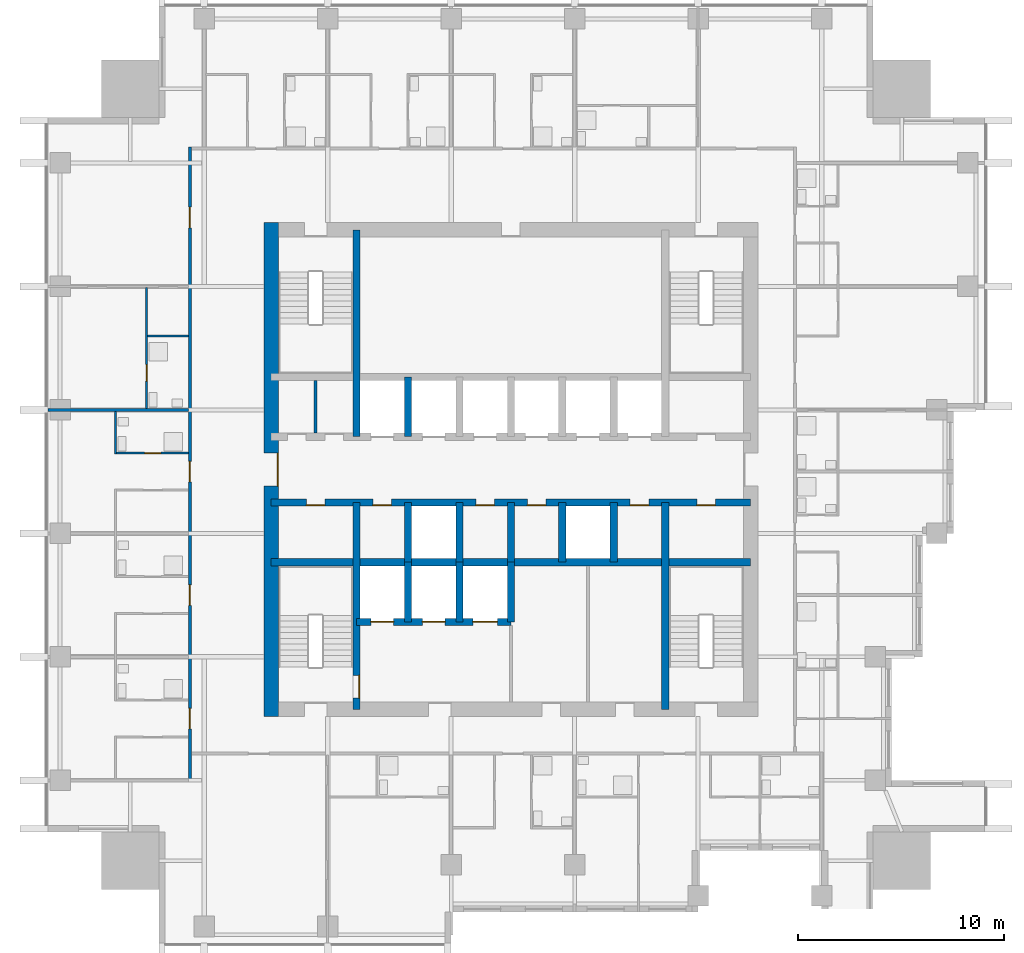
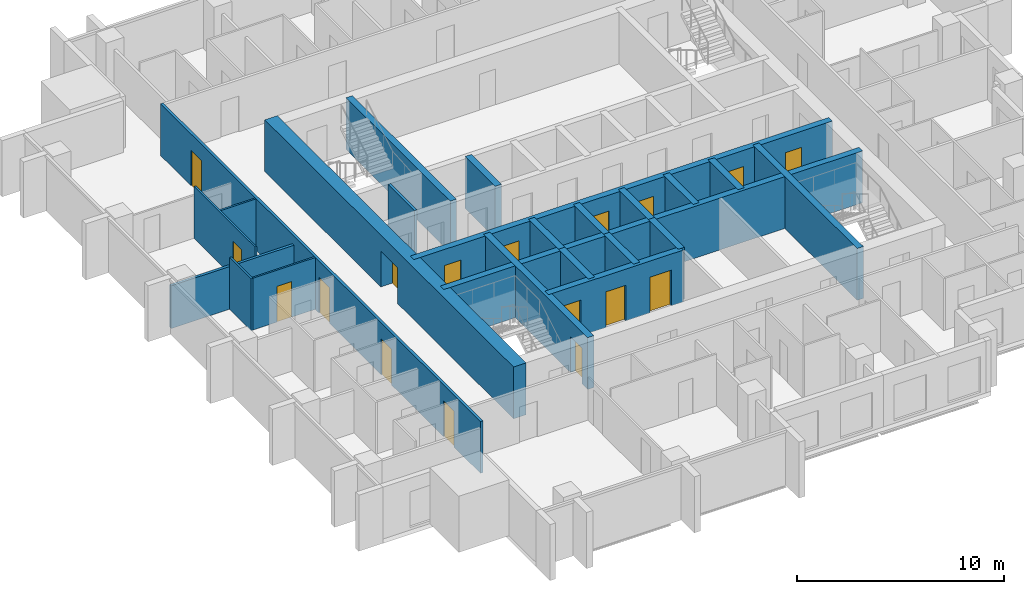
# One storey, part 5 of 11: 23 walls, 17 doors, 17 openings.
"""IFC4 building model written with IfcOpenShell, lengths in metres."""

from ifc_helpers import new_model, si_unit, direction, frame, frame_2d, origin, place, context, subcontext, project, spatial, rectangle, extrude, material, layer, layer_set, type_object, element, fill, save


model = new_model("IFC4")

# Units and contexts
model_context = context("Model", 3, precision=1e-05, world=origin(), true_north=direction((0.0, 1.0)))
body_context = subcontext(model_context, "Body", "Model", "MODEL_VIEW")
ifc_project = project(units=[si_unit("LENGTHUNIT", "METRE"), si_unit("AREAUNIT", "SQUARE_METRE"), si_unit("VOLUMEUNIT", "CUBIC_METRE"), si_unit("PLANEANGLEUNIT", "RADIAN"), si_unit("MASSUNIT", "GRAM", prefix="KILO")], contexts=[model_context])

# Site, building, storey
site_placement = place(None, origin())
site = spatial("IfcSite", under=ifc_project, at=site_placement, CompositionType="ELEMENT")
building_placement = place(site_placement, origin())
building = spatial("IfcBuilding", under=site, at=building_placement, Name="Amberfall Residences", CompositionType="ELEMENT")
storey_placement = place(building_placement, frame((0.0, 0.0, 161.5)))
storey = spatial("IfcBuildingStorey", under=building, at=storey_placement, Name="L43", CompositionType="ELEMENT", Elevation=161.5)

# Wall
ifc_material_1 = material(Name="Concrete C60", Category="concrete")
ifc_layer_1 = layer(ifc_material_1, 0.35009765625)
ifc_layer_set_1 = layer_set([ifc_layer_1], Name="Core wall 350 C60")
wall_type_1 = type_object("IfcWallType", Name="Core wall 350 C60", PredefinedType="SHEAR", material=ifc_layer_set_1)
wall_1_placement = place(storey_placement, frame((62.85009765625, 41.0, 0.0), z_axis=(0.0, 0.0, 1.0), x_axis=(1.0, 0.0, 0.0)))
element("IfcWall", 1, at=wall_1_placement, inside=storey, type_object=wall_type_1, Name="Core wall RW6 L43 H75", PredefinedType="SHEAR", context=body_context, shape_type="SweptSolid", body=[
    extrude(rectangle(XDim=23.2998046875, YDim=0.35009765625, at=frame_2d((11.64990234375, 0.0))), origin(), (0.0, 0.0, 1.0), 3.050048828125),
])

# Wall, openings, doors
wall_2_placement = place(storey_placement, frame((62.85009765625, 43.89990234375, 0.0), z_axis=(0.0, 0.0, 1.0), x_axis=(1.0, 0.0, 0.0)))
wall_2 = element("IfcWall", 2, at=wall_2_placement, inside=storey, type_object=wall_type_1, Name="Core wall RW6 L43 H104", PredefinedType="SHEAR", context=body_context, shape_type="SweptSolid", body=[
    extrude(rectangle(XDim=23.2998046875, YDim=0.35009765625, at=frame_2d((11.64990234375, 0.0))), origin(), (0.0, 0.0, 1.0), 3.050048828125),
])
opening_1_placement = place(wall_2_placement, frame((1.71240234375, 0.0, 0.0)))
opening_1 = element("IfcOpeningElement", 3, at=opening_1_placement, cuts=wall_2, Name="Opening RD1", PredefinedType="OPENING", context=body_context, shape_type="SweptSolid", body=[
    extrude(rectangle(XDim=0.89990234375, YDim=2.10009765625, at=frame_2d((0.449951171875, 1.050048828125))), frame((0.0, 0.18505859375, 0.0), z_axis=(0.0, -1.0, 0.0), x_axis=(1.0, 0.0, 0.0)), (0.0, 0.0, 1.0), 0.3701171875),
])
opening_2_placement = place(wall_2_placement, frame((20.6875, 0.0, 0.0)))
opening_2 = element("IfcOpeningElement", 4, at=opening_2_placement, cuts=wall_2, Name="Opening RD1", PredefinedType="OPENING", context=body_context, shape_type="SweptSolid", body=[
    extrude(rectangle(XDim=0.89990234375, YDim=2.10009765625, at=frame_2d((0.449951171875, 1.050048828125))), frame((0.0, 0.18505859375, 0.0), z_axis=(0.0, -1.0, 0.0), x_axis=(1.0, 0.0, 0.0)), (0.0, 0.0, 1.0), 0.3701171875),
])
opening_3_placement = place(wall_2_placement, frame((4.949951171875, 0.0, 0.0)))
opening_3 = element("IfcOpeningElement", 5, at=opening_3_placement, cuts=wall_2, Name="Opening RD1", PredefinedType="OPENING", context=body_context, shape_type="SweptSolid", body=[
    extrude(rectangle(XDim=0.89990234375, YDim=2.10009765625, at=frame_2d((0.449951171875, 1.050048828125))), frame((0.0, 0.18505859375, 0.0), z_axis=(0.0, -1.0, 0.0), x_axis=(1.0, 0.0, 0.0)), (0.0, 0.0, 1.0), 0.3701171875),
])
opening_4_placement = place(wall_2_placement, frame((9.949951171875, 0.0, 0.0)))
opening_4 = element("IfcOpeningElement", 6, at=opening_4_placement, cuts=wall_2, Name="Opening RD1", PredefinedType="OPENING", context=body_context, shape_type="SweptSolid", body=[
    extrude(rectangle(XDim=0.89990234375, YDim=2.10009765625, at=frame_2d((0.449951171875, 1.050048828125))), frame((0.0, 0.18505859375, 0.0), z_axis=(0.0, -1.0, 0.0), x_axis=(1.0, 0.0, 0.0)), (0.0, 0.0, 1.0), 0.3701171875),
])
opening_5_placement = place(wall_2_placement, frame((12.449951171875, 0.0, 0.0)))
opening_5 = element("IfcOpeningElement", 7, at=opening_5_placement, cuts=wall_2, Name="Opening RD1", PredefinedType="OPENING", context=body_context, shape_type="SweptSolid", body=[
    extrude(rectangle(XDim=0.89990234375, YDim=2.10009765625, at=frame_2d((0.449951171875, 1.050048828125))), frame((0.0, 0.18505859375, 0.0), z_axis=(0.0, -1.0, 0.0), x_axis=(1.0, 0.0, 0.0)), (0.0, 0.0, 1.0), 0.3701171875),
])
opening_6_placement = place(wall_2_placement, frame((17.449951171875, 0.0, 0.0)))
opening_6 = element("IfcOpeningElement", 8, at=opening_6_placement, cuts=wall_2, Name="Opening RD1", PredefinedType="OPENING", context=body_context, shape_type="SweptSolid", body=[
    extrude(rectangle(XDim=0.89990234375, YDim=2.10009765625, at=frame_2d((0.449951171875, 1.050048828125))), frame((0.0, 0.18505859375, 0.0), z_axis=(0.0, -1.0, 0.0), x_axis=(1.0, 0.0, 0.0)), (0.0, 0.0, 1.0), 0.3701171875),
])
ifc_material_2 = material(Name="Steel fire door set", Category="steel")
door_type_1 = type_object("IfcDoorType", Name="Service room door 900 x 2100", OperationType="SINGLE_SWING_LEFT", PredefinedType="DOOR", material=ifc_material_2)
door_1_placement = place(opening_1_placement, origin())
door_1 = element("IfcDoor", 9, at=door_1_placement, inside=storey, type_object=door_type_1, Name="RD1 L43", OperationType="SINGLE_SWING_LEFT", OverallHeight=2.10009765625, OverallWidth=0.89990234375, PredefinedType="DOOR", context=body_context, shape_type="SweptSolid", body=[
    extrude(rectangle(XDim=0.89990234375, YDim=2.10009765625, at=frame_2d((0.449951171875, 1.050048828125))), frame((0.0, -0.1123046875, 0.0), z_axis=(0.0, -1.0, 0.0), x_axis=(1.0, 0.0, 0.0)), (0.0, 0.0, 1.0), 0.050048828125),
])
fill(opening_1, door_1)
door_2_placement = place(opening_2_placement, origin())
door_2 = element("IfcDoor", 10, at=door_2_placement, inside=storey, type_object=door_type_1, Name="RD1 L43", OperationType="SINGLE_SWING_LEFT", OverallHeight=2.10009765625, OverallWidth=0.89990234375, PredefinedType="DOOR", context=body_context, shape_type="SweptSolid", body=[
    extrude(rectangle(XDim=0.89990234375, YDim=2.10009765625, at=frame_2d((0.449951171875, 1.050048828125))), frame((0.0, -0.1123046875, 0.0), z_axis=(0.0, -1.0, 0.0), x_axis=(1.0, 0.0, 0.0)), (0.0, 0.0, 1.0), 0.050048828125),
])
fill(opening_2, door_2)
door_3_placement = place(opening_3_placement, origin())
door_3 = element("IfcDoor", 11, at=door_3_placement, inside=storey, type_object=door_type_1, Name="RD1 L43", OperationType="SINGLE_SWING_RIGHT", OverallHeight=2.10009765625, OverallWidth=0.89990234375, PredefinedType="DOOR", context=body_context, shape_type="SweptSolid", body=[
    extrude(rectangle(XDim=0.89990234375, YDim=2.10009765625, at=frame_2d((0.449951171875, 1.050048828125))), frame((0.0, -0.1123046875, 0.0), z_axis=(0.0, -1.0, 0.0), x_axis=(1.0, 0.0, 0.0)), (0.0, 0.0, 1.0), 0.050048828125),
])
fill(opening_3, door_3)
door_4_placement = place(opening_4_placement, origin())
door_4 = element("IfcDoor", 12, at=door_4_placement, inside=storey, type_object=door_type_1, Name="RD1 L43", OperationType="SINGLE_SWING_RIGHT", OverallHeight=2.10009765625, OverallWidth=0.89990234375, PredefinedType="DOOR", context=body_context, shape_type="SweptSolid", body=[
    extrude(rectangle(XDim=0.89990234375, YDim=2.10009765625, at=frame_2d((0.449951171875, 1.050048828125))), frame((0.0, -0.1123046875, 0.0), z_axis=(0.0, -1.0, 0.0), x_axis=(1.0, 0.0, 0.0)), (0.0, 0.0, 1.0), 0.050048828125),
])
fill(opening_4, door_4)
door_5_placement = place(opening_5_placement, origin())
door_5 = element("IfcDoor", 13, at=door_5_placement, inside=storey, type_object=door_type_1, Name="RD1 L43", OperationType="SINGLE_SWING_LEFT", OverallHeight=2.10009765625, OverallWidth=0.89990234375, PredefinedType="DOOR", context=body_context, shape_type="SweptSolid", body=[
    extrude(rectangle(XDim=0.89990234375, YDim=2.10009765625, at=frame_2d((0.449951171875, 1.050048828125))), frame((0.0, -0.1123046875, 0.0), z_axis=(0.0, -1.0, 0.0), x_axis=(1.0, 0.0, 0.0)), (0.0, 0.0, 1.0), 0.050048828125),
])
fill(opening_5, door_5)
door_6_placement = place(opening_6_placement, origin())
door_6 = element("IfcDoor", 14, at=door_6_placement, inside=storey, type_object=door_type_1, Name="RD1 L43", OperationType="SINGLE_SWING_LEFT", OverallHeight=2.10009765625, OverallWidth=0.89990234375, PredefinedType="DOOR", context=body_context, shape_type="SweptSolid", body=[
    extrude(rectangle(XDim=0.89990234375, YDim=2.10009765625, at=frame_2d((0.449951171875, 1.050048828125))), frame((0.0, -0.1123046875, 0.0), z_axis=(0.0, -1.0, 0.0), x_axis=(1.0, 0.0, 0.0)), (0.0, 0.0, 1.0), 0.050048828125),
])
fill(opening_6, door_6)

# Wall, opening, door
wall_3_placement = place(storey_placement, frame((67.0, 33.85009765625, 0.0), z_axis=(0.0, 0.0, 1.0), x_axis=(0.0, 1.0, 0.0)))
wall_3 = element("IfcWall", 15, at=wall_3_placement, inside=storey, type_object=wall_type_1, Name="Core wall RW6 L43 V45S", PredefinedType="SHEAR", context=body_context, shape_type="SweptSolid", body=[
    extrude(rectangle(XDim=10.0498046875, YDim=0.35009765625, at=frame_2d((5.02490234375, 0.0))), origin(), (0.0, 0.0, 1.0), 3.050048828125),
])
opening_7_placement = place(wall_3_placement, frame((0.550048828125, 0.0, 0.0)))
opening_7 = element("IfcOpeningElement", 16, at=opening_7_placement, cuts=wall_3, Name="Opening FL1", PredefinedType="OPENING", context=body_context, shape_type="SweptSolid", body=[
    extrude(rectangle(XDim=1.10009765625, YDim=2.10009765625, at=frame_2d((0.550048828125, 1.050048828125))), frame((0.0, 0.18505859375, 0.0), z_axis=(0.0, -1.0, 0.0), x_axis=(1.0, 0.0, 0.0)), (0.0, 0.0, 1.0), 0.3701171875),
])
door_type_2 = type_object("IfcDoorType", Name="Firefighting lobby door 1100 x 2100", OperationType="SINGLE_SWING_LEFT", PredefinedType="DOOR", material=ifc_material_2)
door_7_placement = place(opening_7_placement, origin())
door_7 = element("IfcDoor", 17, at=door_7_placement, inside=storey, type_object=door_type_2, Name="FL1 L43", OperationType="SINGLE_SWING_RIGHT", OverallHeight=2.10009765625, OverallWidth=1.10009765625, PredefinedType="DOOR", context=body_context, shape_type="SweptSolid", body=[
    extrude(rectangle(XDim=1.10009765625, YDim=2.10009765625, at=frame_2d((0.550048828125, 1.050048828125))), frame((0.0, -0.1123046875, 0.0), z_axis=(0.0, -1.0, 0.0), x_axis=(1.0, 0.0, 0.0)), (0.0, 0.0, 1.0), 0.050048828125),
])
fill(opening_7, door_7)

# Walls
for number, where, z_axis, x_axis, name in (
    (18, (67.0, 47.10009765625, 0.0), (0.0, 0.0, 1.0), (0.0, 1.0, 0.0), "Core wall RW6 L43 V45N"),
    (19, (82.0, 33.85009765625, 0.0), (0.0, 0.0, 1.0), (0.0, 1.0, 0.0), "Core wall RW6 L43 V195S"),
):
    element("IfcWall", number, at=place(storey_placement, frame(where, z_axis=z_axis, x_axis=x_axis)), inside=storey, type_object=wall_type_1, Name=name, PredefinedType="SHEAR", context=body_context, shape_type="SweptSolid", body=[
        extrude(rectangle(XDim=10.0498046875, YDim=0.35009765625, at=frame_2d((5.02490234375, 0.0))), origin(), (0.0, 0.0, 1.0), 3.050048828125),
    ])
for number, where, z_axis, x_axis, name in (
    (20, (69.5, 41.0, 0.0), (0.0, 0.0, 1.0), (0.0, 1.0, 0.0), "Core wall RW6 L43 LPD1"),
    (21, (69.5, 47.10009765625, 0.0), (0.0, 0.0, 1.0), (0.0, 1.0, 0.0), "Core wall RW6 L43 HPD1"),
    (22, (72.0, 41.0, 0.0), (0.0, 0.0, 1.0), (0.0, 1.0, 0.0), "Core wall RW6 L43 LPD2"),
    (23, (74.5, 41.0, 0.0), (0.0, 0.0, 1.0), (0.0, 1.0, 0.0), "Core wall RW6 L43 LPD3"),
    (24, (77.0, 41.0, 0.0), (0.0, 0.0, 1.0), (0.0, 1.0, 0.0), "Core wall RW6 L43 LPD4"),
    (25, (79.5, 41.0, 0.0), (0.0, 0.0, 1.0), (0.0, 1.0, 0.0), "Core wall RW6 L43 LPD5"),
):
    element("IfcWall", number, at=place(storey_placement, frame(where, z_axis=z_axis, x_axis=x_axis)), inside=storey, type_object=wall_type_1, Name=name, PredefinedType="SHEAR", context=body_context, shape_type="SweptSolid", body=[
        extrude(rectangle(XDim=2.89990234375, YDim=0.35009765625, at=frame_2d((1.449951171875, 0.0))), origin(), (0.0, 0.0, 1.0), 3.050048828125),
    ])

# Wall, openings, doors
wall_4_placement = place(storey_placement, frame((67.0, 38.10009765625, 0.0), z_axis=(0.0, 0.0, 1.0), x_axis=(1.0, 0.0, 0.0)))
wall_4 = element("IfcWall", 26, at=wall_4_placement, inside=storey, type_object=wall_type_1, Name="Core wall RW6 L43 FFF", PredefinedType="SHEAR", context=body_context, shape_type="SweptSolid", body=[
    extrude(rectangle(XDim=7.5, YDim=0.35009765625, at=frame_2d((3.75, 0.0))), origin(), (0.0, 0.0, 1.0), 3.050048828125),
])
opening_8_placement = place(wall_4_placement, frame((0.699951171875, 0.0, 0.0)))
opening_8 = element("IfcOpeningElement", 27, at=opening_8_placement, cuts=wall_4, Name="Opening LD2", PredefinedType="OPENING", context=body_context, shape_type="SweptSolid", body=[
    extrude(rectangle(XDim=1.10009765625, YDim=2.10009765625, at=frame_2d((0.550048828125, 1.050048828125))), frame((0.0, 0.18505859375, 0.0), z_axis=(0.0, -1.0, 0.0), x_axis=(1.0, 0.0, 0.0)), (0.0, 0.0, 1.0), 0.3701171875),
])
opening_9_placement = place(wall_4_placement, frame((3.199951171875, 0.0, 0.0)))
opening_9 = element("IfcOpeningElement", 28, at=opening_9_placement, cuts=wall_4, Name="Opening LD2", PredefinedType="OPENING", context=body_context, shape_type="SweptSolid", body=[
    extrude(rectangle(XDim=1.10009765625, YDim=2.10009765625, at=frame_2d((0.550048828125, 1.050048828125))), frame((0.0, 0.18505859375, 0.0), z_axis=(0.0, -1.0, 0.0), x_axis=(1.0, 0.0, 0.0)), (0.0, 0.0, 1.0), 0.3701171875),
])
opening_10_placement = place(wall_4_placement, frame((5.64990234375, 0.0, 0.0)))
opening_10 = element("IfcOpeningElement", 29, at=opening_10_placement, cuts=wall_4, Name="Opening LD3", PredefinedType="OPENING", context=body_context, shape_type="SweptSolid", body=[
    extrude(rectangle(XDim=1.199951171875, YDim=2.10009765625, at=frame_2d((0.60009765625, 1.050048828125))), frame((0.0, 0.18505859375, 0.0), z_axis=(0.0, -1.0, 0.0), x_axis=(1.0, 0.0, 0.0)), (0.0, 0.0, 1.0), 0.3701171875),
])
door_type_3 = type_object("IfcDoorType", Name="Firefighting lift landing door 1100 x 2100", OperationType="DOUBLE_DOOR_SLIDING", PredefinedType="DOOR", material=ifc_material_2)
door_8_placement = place(opening_8_placement, origin())
door_8 = element("IfcDoor", 30, at=door_8_placement, inside=storey, type_object=door_type_3, Name="Landing door FF1 L43", OperationType="DOUBLE_DOOR_SLIDING", OverallHeight=2.10009765625, OverallWidth=1.10009765625, PredefinedType="DOOR", context=body_context, shape_type="SweptSolid", body=[
    extrude(rectangle(XDim=1.10009765625, YDim=2.10009765625, at=frame_2d((0.550048828125, 1.050048828125))), frame((0.0, 0.02490234375, 0.0), z_axis=(0.0, -1.0, 0.0), x_axis=(1.0, 0.0, 0.0)), (0.0, 0.0, 1.0), 0.050048828125),
])
fill(opening_8, door_8)
door_9_placement = place(opening_9_placement, origin())
door_9 = element("IfcDoor", 31, at=door_9_placement, inside=storey, type_object=door_type_3, Name="Landing door FF2 L43", OperationType="DOUBLE_DOOR_SLIDING", OverallHeight=2.10009765625, OverallWidth=1.10009765625, PredefinedType="DOOR", context=body_context, shape_type="SweptSolid", body=[
    extrude(rectangle(XDim=1.10009765625, YDim=2.10009765625, at=frame_2d((0.550048828125, 1.050048828125))), frame((0.0, 0.02490234375, 0.0), z_axis=(0.0, -1.0, 0.0), x_axis=(1.0, 0.0, 0.0)), (0.0, 0.0, 1.0), 0.050048828125),
])
fill(opening_9, door_9)
door_type_4 = type_object("IfcDoorType", Name="Service lift landing door 1200 x 2100", OperationType="DOUBLE_DOOR_SLIDING", PredefinedType="DOOR", material=ifc_material_2)
door_10_placement = place(opening_10_placement, origin())
door_10 = element("IfcDoor", 32, at=door_10_placement, inside=storey, type_object=door_type_4, Name="Landing door SL1 L43", OperationType="DOUBLE_DOOR_SLIDING", OverallHeight=2.10009765625, OverallWidth=1.199951171875, PredefinedType="DOOR", context=body_context, shape_type="SweptSolid", body=[
    extrude(rectangle(XDim=1.199951171875, YDim=2.10009765625, at=frame_2d((0.60009765625, 1.050048828125))), frame((0.0, 0.02490234375, 0.0), z_axis=(0.0, -1.0, 0.0), x_axis=(1.0, 0.0, 0.0)), (0.0, 0.0, 1.0), 0.050048828125),
])
fill(opening_10, door_10)

# Walls
for number, where, z_axis, x_axis, name in (
    (33, (69.5, 38.10009765625, 0.0), (0.0, 0.0, 1.0), (0.0, 1.0, 0.0), "Core wall RW6 L43 FFD1"),
    (34, (72.0, 38.10009765625, 0.0), (0.0, 0.0, 1.0), (0.0, 1.0, 0.0), "Core wall RW6 L43 FFD2"),
    (35, (74.5, 38.10009765625, 0.0), (0.0, 0.0, 1.0), (0.0, 1.0, 0.0), "Core wall RW6 L43 FFD3"),
):
    element("IfcWall", number, at=place(storey_placement, frame(where, z_axis=z_axis, x_axis=x_axis)), inside=storey, type_object=wall_type_1, Name=name, PredefinedType="SHEAR", context=body_context, shape_type="SweptSolid", body=[
        extrude(rectangle(XDim=2.89990234375, YDim=0.35009765625, at=frame_2d((1.449951171875, 0.0))), origin(), (0.0, 0.0, 1.0), 3.050048828125),
    ])

# Wall, opening, door
ifc_layer_2 = layer(ifc_material_1, 0.699951171875)
ifc_layer_set_2 = layer_set([ifc_layer_2], Name="Core wall 700 C60")
wall_type_2 = type_object("IfcWallType", Name="Core wall 700 C60", PredefinedType="SHEAR", material=ifc_layer_set_2)
wall_5_placement = place(storey_placement, frame((62.85009765625, 33.5, 0.0), z_axis=(0.0, 0.0, 1.0), x_axis=(0.0, 1.0, 0.0)))
wall_5 = element("IfcWall", 36, at=wall_5_placement, inside=storey, type_object=wall_type_2, Name="Core wall RW5 L43 OW", PredefinedType="SHEAR", context=body_context, shape_type="SweptSolid", body=[
    extrude(rectangle(XDim=24.0, YDim=0.699951171875, at=frame_2d((12.0, 0.0))), origin(), (0.0, 0.0, 1.0), 3.050048828125),
])
opening_11_placement = place(wall_5_placement, frame((11.199951171875, 0.0, 0.0)))
opening_11 = element("IfcOpeningElement", 37, at=opening_11_placement, cuts=wall_5, Name="Opening LB1", PredefinedType="OPENING", context=body_context, shape_type="SweptSolid", body=[
    extrude(rectangle(XDim=1.60009765625, YDim=2.10009765625, at=frame_2d((0.800048828125, 1.050048828125))), frame((0.0, 0.35986328125, 0.0), z_axis=(0.0, -1.0, 0.0), x_axis=(1.0, 0.0, 0.0)), (0.0, 0.0, 1.0), 0.719970703125),
])
door_type_5 = type_object("IfcDoorType", Name="Lift lobby double door 1600 x 2100", OperationType="DOUBLE_DOOR_SINGLE_SWING", PredefinedType="DOOR", material=ifc_material_2)
door_11_placement = place(opening_11_placement, origin())
door_11 = element("IfcDoor", 38, at=door_11_placement, inside=storey, type_object=door_type_5, Name="LB1 L43", OperationType="DOUBLE_DOOR_SINGLE_SWING", OverallHeight=2.10009765625, OverallWidth=1.60009765625, PredefinedType="DOOR", context=body_context, shape_type="SweptSolid", body=[
    extrude(rectangle(XDim=1.60009765625, YDim=2.10009765625, at=frame_2d((0.800048828125, 1.050048828125))), frame((0.0, -0.28759765625, 0.0), z_axis=(0.0, -1.0, 0.0), x_axis=(1.0, 0.0, 0.0)), (0.0, 0.0, 1.0), 0.050048828125),
])
fill(opening_11, door_11)

# Wall
ifc_material_3 = material(Name="Gypsum board on metal stud")
ifc_layer_3 = layer(ifc_material_3, 0.10009765625)
ifc_layer_set_3 = layer_set([ifc_layer_3], Name="Flat partition 100")
wall_type_3 = type_object("IfcWallType", Name="Flat partition 100", PredefinedType="PARTITIONING", material=ifc_layer_set_3)
wall_6_placement = place(storey_placement, frame((55.300048828125, 46.25, 0.0), z_axis=(0.0, 0.0, 1.0), x_axis=(0.0, 1.0, 0.0)))
element("IfcWall", 39, at=wall_6_placement, inside=storey, type_object=wall_type_3, Name="Partition 004", PredefinedType="PARTITIONING", context=body_context, shape_type="SweptSolid", body=[
    extrude(rectangle(XDim=2.074951171875, YDim=0.10009765625, at=frame_2d((1.03759765625, 0.0))), origin(), (0.0, 0.0, 1.0), 3.050048828125),
])

# Wall, opening, door
wall_7_placement = place(storey_placement, frame((56.800048828125, 54.35009765625, 0.0), z_axis=(0.0, 0.0, 1.0), x_axis=(0.0, -1.0, 0.0)))
wall_7 = element("IfcWall", 40, at=wall_7_placement, inside=storey, type_object=wall_type_3, Name="Partition 005", PredefinedType="PARTITIONING", context=body_context, shape_type="SweptSolid", body=[
    extrude(rectangle(XDim=5.875, YDim=0.10009765625, at=frame_2d((2.9375, 0.0))), origin(), (0.0, 0.0, 1.0), 3.050048828125),
])
opening_12_placement = place(wall_7_placement, frame((3.75, 0.0, 0.0)))
opening_12 = element("IfcOpeningElement", 41, at=opening_12_placement, cuts=wall_7, Name="Opening D42", PredefinedType="OPENING", context=body_context, shape_type="SweptSolid", body=[
    extrude(rectangle(XDim=0.800048828125, YDim=2.10009765625, at=frame_2d((0.39990234375, 1.050048828125))), frame((0.0, 0.06005859375, 0.0), z_axis=(0.0, -1.0, 0.0), x_axis=(1.0, 0.0, 0.0)), (0.0, 0.0, 1.0), 0.1201171875),
])
ifc_material_4 = material(Name="Timber", Category="wood")
door_type_6 = type_object("IfcDoorType", Name="Bathroom door 800 x 2100", OperationType="SINGLE_SWING_LEFT", PredefinedType="DOOR", material=ifc_material_4)
door_12_placement = place(opening_12_placement, origin())
door_12 = element("IfcDoor", 42, at=door_12_placement, inside=storey, type_object=door_type_6, Name="Door 4315 bath1", OperationType="SINGLE_SWING_LEFT", OverallHeight=2.10009765625, OverallWidth=0.800048828125, PredefinedType="DOOR", context=body_context, shape_type="SweptSolid", body=[
    extrude(rectangle(XDim=0.800048828125, YDim=2.10009765625, at=frame_2d((0.39990234375, 1.050048828125))), frame((0.0, 0.02490234375, 0.0), z_axis=(0.0, -1.0, 0.0), x_axis=(1.0, 0.0, 0.0)), (0.0, 0.0, 1.0), 0.050048828125),
])
fill(opening_12, door_12)

# Wall
wall_8_placement = place(storey_placement, frame((56.85009765625, 52.0, 0.0), z_axis=(0.0, 0.0, 1.0), x_axis=(1.0, 0.0, 0.0)))
element("IfcWall", 43, at=wall_8_placement, inside=storey, type_object=wall_type_3, Name="Partition 033", PredefinedType="PARTITIONING", context=body_context, shape_type="SweptSolid", body=[
    extrude(rectangle(XDim=1.974853515625, YDim=0.10009765625, at=frame_2d((0.9873046875, 0.0))), origin(), (0.0, 0.0, 1.0), 3.050048828125),
])

# Wall, opening, door
wall_9_placement = place(storey_placement, frame((55.35009765625, 46.300048828125, 0.0), z_axis=(0.0, 0.0, 1.0), x_axis=(1.0, 0.0, 0.0)))
wall_9 = element("IfcWall", 44, at=wall_9_placement, inside=storey, type_object=wall_type_3, Name="Partition 036", PredefinedType="PARTITIONING", context=body_context, shape_type="SweptSolid", body=[
    extrude(rectangle(XDim=3.474853515625, YDim=0.10009765625, at=frame_2d((1.7373046875, 0.0))), origin(), (0.0, 0.0, 1.0), 3.050048828125),
])
opening_13_placement = place(wall_9_placement, frame((1.35009765625, 0.0, 0.0)))
opening_13 = element("IfcOpeningElement", 45, at=opening_13_placement, cuts=wall_9, Name="Opening D42", PredefinedType="OPENING", context=body_context, shape_type="SweptSolid", body=[
    extrude(rectangle(XDim=0.800048828125, YDim=2.10009765625, at=frame_2d((0.39990234375, 1.050048828125))), frame((0.0, 0.06005859375, 0.0), z_axis=(0.0, -1.0, 0.0), x_axis=(1.0, 0.0, 0.0)), (0.0, 0.0, 1.0), 0.1201171875),
])
door_13_placement = place(opening_13_placement, origin())
door_13 = element("IfcDoor", 46, at=door_13_placement, inside=storey, type_object=door_type_6, Name="Door 4314 bath1", OperationType="SINGLE_SWING_LEFT", OverallHeight=2.10009765625, OverallWidth=0.800048828125, PredefinedType="DOOR", context=body_context, shape_type="SweptSolid", body=[
    extrude(rectangle(XDim=0.800048828125, YDim=2.10009765625, at=frame_2d((0.39990234375, 1.050048828125))), frame((0.0, 0.02490234375, 0.0), z_axis=(0.0, -1.0, 0.0), x_axis=(1.0, 0.0, 0.0)), (0.0, 0.0, 1.0), 0.050048828125),
])
fill(opening_13, door_13)

# Wall, openings, doors
ifc_material_5 = material(Name="Blockwork, plastered", Category="masonry")
ifc_layer_4 = layer(ifc_material_5, 0.14990234375)
ifc_layer_set_4 = layer_set([ifc_layer_4], Name="Flat separating wall 150")
wall_type_4 = type_object("IfcWallType", Name="Flat separating wall 150", PredefinedType="PARTITIONING", material=ifc_layer_set_4)
wall_10_placement = place(storey_placement, frame((58.89990234375, 30.324951171875, 0.0), z_axis=(0.0, 0.0, 1.0), x_axis=(0.0, 1.0, 0.0)))
wall_10 = element("IfcWall", 47, at=wall_10_placement, inside=storey, type_object=wall_type_4, Name="Separating wall 051", PredefinedType="PARTITIONING", context=body_context, shape_type="SweptSolid", body=[
    extrude(rectangle(XDim=30.85009765625, YDim=0.14990234375, at=frame_2d((15.425048828125, 0.0))), origin(), (0.0, 0.0, 1.0), 3.050048828125),
])
opening_14_placement = place(wall_10_placement, frame((2.574951171875, 0.0, 0.0)))
opening_14 = element("IfcOpeningElement", 48, at=opening_14_placement, cuts=wall_10, Name="Opening D40", PredefinedType="OPENING", context=body_context, shape_type="SweptSolid", body=[
    extrude(rectangle(XDim=1.0, YDim=2.10009765625, at=frame_2d((0.5, 1.050048828125))), frame((0.0, 0.0849609375, 0.0), z_axis=(0.0, -1.0, 0.0), x_axis=(1.0, 0.0, 0.0)), (0.0, 0.0, 1.0), 0.169921875),
])
opening_15_placement = place(wall_10_placement, frame((8.574951171875, 0.0, 0.0)))
opening_15 = element("IfcOpeningElement", 49, at=opening_15_placement, cuts=wall_10, Name="Opening D40", PredefinedType="OPENING", context=body_context, shape_type="SweptSolid", body=[
    extrude(rectangle(XDim=1.0, YDim=2.10009765625, at=frame_2d((0.5, 1.050048828125))), frame((0.0, 0.0849609375, 0.0), z_axis=(0.0, -1.0, 0.0), x_axis=(1.0, 0.0, 0.0)), (0.0, 0.0, 1.0), 0.169921875),
])
opening_16_placement = place(wall_10_placement, frame((14.574951171875, 0.0, 0.0)))
opening_16 = element("IfcOpeningElement", 50, at=opening_16_placement, cuts=wall_10, Name="Opening D40", PredefinedType="OPENING", context=body_context, shape_type="SweptSolid", body=[
    extrude(rectangle(XDim=1.0, YDim=2.10009765625, at=frame_2d((0.5, 1.050048828125))), frame((0.0, 0.0849609375, 0.0), z_axis=(0.0, -1.0, 0.0), x_axis=(1.0, 0.0, 0.0)), (0.0, 0.0, 1.0), 0.169921875),
])
opening_17_placement = place(wall_10_placement, frame((26.925048828125, 0.0, 0.0)))
opening_17 = element("IfcOpeningElement", 51, at=opening_17_placement, cuts=wall_10, Name="Opening D40", PredefinedType="OPENING", context=body_context, shape_type="SweptSolid", body=[
    extrude(rectangle(XDim=1.0, YDim=2.10009765625, at=frame_2d((0.5, 1.050048828125))), frame((0.0, 0.0849609375, 0.0), z_axis=(0.0, -1.0, 0.0), x_axis=(1.0, 0.0, 0.0)), (0.0, 0.0, 1.0), 0.169921875),
])
ifc_material_6 = material(Name="Timber, fire-rated", Category="wood")
door_type_7 = type_object("IfcDoorType", Name="Flat entrance door FD60 1000 x 2100", OperationType="SINGLE_SWING_LEFT", PredefinedType="DOOR", material=ifc_material_6)
door_14_placement = place(opening_14_placement, origin())
door_14 = element("IfcDoor", 52, at=door_14_placement, inside=storey, type_object=door_type_7, Name="Door 4312 entrance", OperationType="SINGLE_SWING_LEFT", OverallHeight=2.10009765625, OverallWidth=1.0, PredefinedType="DOOR", context=body_context, shape_type="SweptSolid", body=[
    extrude(rectangle(XDim=1.0, YDim=2.10009765625, at=frame_2d((0.5, 1.050048828125))), frame((0.0, 0.02490234375, 0.0), z_axis=(0.0, -1.0, 0.0), x_axis=(1.0, 0.0, 0.0)), (0.0, 0.0, 1.0), 0.050048828125),
])
fill(opening_14, door_14)
door_15_placement = place(opening_15_placement, origin())
door_15 = element("IfcDoor", 53, at=door_15_placement, inside=storey, type_object=door_type_7, Name="Door 4313 entrance", OperationType="SINGLE_SWING_LEFT", OverallHeight=2.10009765625, OverallWidth=1.0, PredefinedType="DOOR", context=body_context, shape_type="SweptSolid", body=[
    extrude(rectangle(XDim=1.0, YDim=2.10009765625, at=frame_2d((0.5, 1.050048828125))), frame((0.0, 0.02490234375, 0.0), z_axis=(0.0, -1.0, 0.0), x_axis=(1.0, 0.0, 0.0)), (0.0, 0.0, 1.0), 0.050048828125),
])
fill(opening_15, door_15)
door_16_placement = place(opening_16_placement, origin())
door_16 = element("IfcDoor", 54, at=door_16_placement, inside=storey, type_object=door_type_7, Name="Door 4314 entrance", OperationType="SINGLE_SWING_LEFT", OverallHeight=2.10009765625, OverallWidth=1.0, PredefinedType="DOOR", context=body_context, shape_type="SweptSolid", body=[
    extrude(rectangle(XDim=1.0, YDim=2.10009765625, at=frame_2d((0.5, 1.050048828125))), frame((0.0, 0.02490234375, 0.0), z_axis=(0.0, -1.0, 0.0), x_axis=(1.0, 0.0, 0.0)), (0.0, 0.0, 1.0), 0.050048828125),
])
fill(opening_16, door_16)
door_17_placement = place(opening_17_placement, origin())
door_17 = element("IfcDoor", 55, at=door_17_placement, inside=storey, type_object=door_type_7, Name="Door 4315 entrance", OperationType="SINGLE_SWING_LEFT", OverallHeight=2.10009765625, OverallWidth=1.0, PredefinedType="DOOR", context=body_context, shape_type="SweptSolid", body=[
    extrude(rectangle(XDim=1.0, YDim=2.10009765625, at=frame_2d((0.5, 1.050048828125))), frame((0.0, 0.02490234375, 0.0), z_axis=(0.0, -1.0, 0.0), x_axis=(1.0, 0.0, 0.0)), (0.0, 0.0, 1.0), 0.050048828125),
])
fill(opening_17, door_17)

# Walls
wall_11_placement = place(storey_placement, frame((52.0, 48.39990234375, 0.0), z_axis=(0.0, 0.0, 1.0), x_axis=(1.0, 0.0, 0.0)))
element("IfcWall", 56, at=wall_11_placement, inside=storey, type_object=wall_type_4, Name="Separating wall 063", PredefinedType="PARTITIONING", context=body_context, shape_type="SweptSolid", body=[
    extrude(rectangle(XDim=6.824951171875, YDim=0.14990234375, at=frame_2d((3.41259765625, 0.0))), origin(), (0.0, 0.0, 1.0), 2.51611328125),
])
ifc_material_7 = material(Name="Concrete blockwork", Category="masonry")
ifc_layer_5 = layer(ifc_material_7, 0.14990234375)
ifc_layer_set_5 = layer_set([ifc_layer_5], Name="Riser wall 150")
wall_type_5 = type_object("IfcWallType", Name="Riser wall 150", PredefinedType="PLUMBINGWALL", material=ifc_layer_set_5)
wall_12_placement = place(storey_placement, frame((65.012451171875, 47.27490234375, 0.0), z_axis=(0.0, 0.0, 1.0), x_axis=(0.0, 1.0, 0.0)))
element("IfcWall", 57, at=wall_12_placement, inside=storey, type_object=wall_type_5, Name="L43 core wall ANW0", PredefinedType="PLUMBINGWALL", context=body_context, shape_type="SweptSolid", body=[
    extrude(rectangle(XDim=2.550048828125, YDim=0.14990234375, at=frame_2d((1.27490234375, 0.0))), origin(), (0.0, 0.0, 1.0), 3.050048828125),
])

save(model, "model.ifc")
